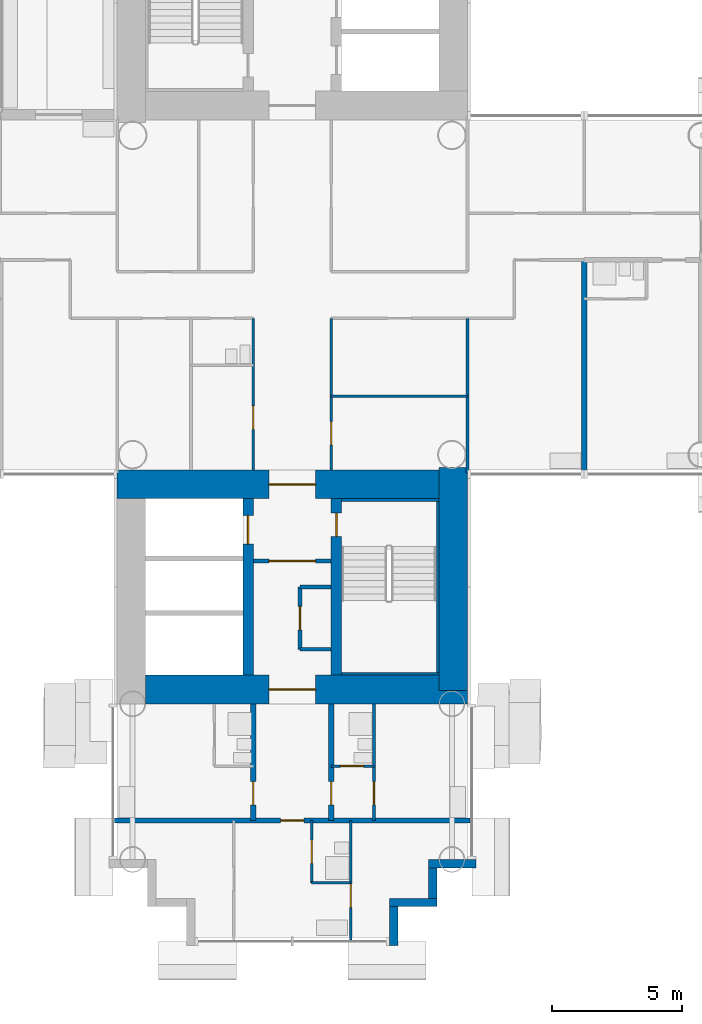
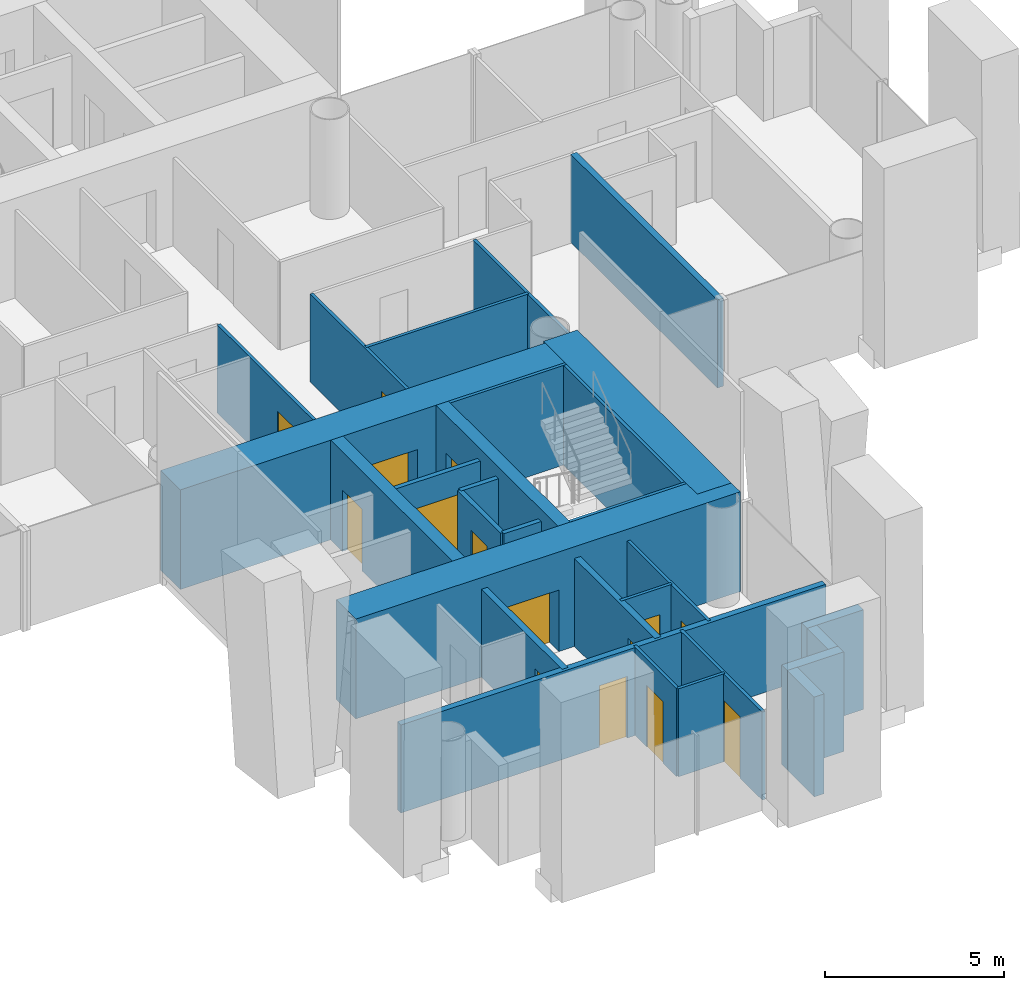
# One storey, part 14 of 23: 29 walls, 15 doors, 15 openings.
"""IFC4 building model written with IfcOpenShell, lengths in metres."""

import ifcopenshell
import ifcopenshell.guid

model = None  # the IFC model being written
_history = None  # IfcOwnerHistory: only IFC2X3 demands one
_inside = {}  # id of a spatial element -> (the spatial element, [elements in it])
_under = {}  # id of a project, library or spatial element -> (it, [spatial elements below it])
_declared = {}  # id of a project -> (the project, [libraries it declares])
_typed = {}  # id of a type object -> (the type object, [elements of that type])
_made_of = {}  # id of a material, layer set ... -> (it, [elements and type objects made of it])


def new_model(schema):
    """Start an empty IFC model of exactly this schema.

    Asked for "IFC4X3", IfcOpenShell would pick the latest addendum, in which some entities
    have other attributes; the version numbers below select the first issue.
    IFC2X3 requires an IfcOwnerHistory on every rooted entity: one is made here for all.
    """
    global model, _history
    if schema == "IFC4X3":
        model = ifcopenshell.file(schema_version=(4, 3, 0, 0))
    else:
        model = ifcopenshell.file(schema=schema)
    _inside.clear()
    _under.clear()
    _declared.clear()
    _typed.clear()
    _made_of.clear()
    _history = None
    if model.schema == "IFC2X3":
        org = make("IfcOrganization", Name="unknown")
        user = make(
            "IfcPersonAndOrganization",
            ThePerson=make("IfcPerson", FamilyName="unknown"),
            TheOrganization=org,
        )
        app = make(
            "IfcApplication",
            ApplicationDeveloper=org,
            Version="unknown",
            ApplicationFullName="unknown",
            ApplicationIdentifier="unknown",
        )
        _history = make(
            "IfcOwnerHistory",
            OwningUser=user,
            OwningApplication=app,
            ChangeAction="ADDED",
            CreationDate=0,
        )
    return model


def make(cls, **values):
    """One entity of the class cls with the attributes given. An attribute that is None is left unset."""
    return model.create_entity(
        cls, **{name: value for name, value in values.items() if value is not None}
    )


def rooted(cls, **values):
    """An entity with a GlobalId (a new one), such as an element, a storey or a relation."""
    return make(cls, GlobalId=ifcopenshell.guid.new(), OwnerHistory=_history, **values)


def si_unit(unit_type, name, prefix=None):
    """IfcSIUnit, for example si_unit("LENGTHUNIT", "METRE", prefix="MILLI")."""
    return make("IfcSIUnit", UnitType=unit_type, Prefix=prefix, Name=name)


def assignment(units):
    """IfcUnitAssignment: the units of a project."""
    return None if units is None else make("IfcUnitAssignment", Units=units)


def point(xyz):
    """IfcCartesianPoint."""
    return None if xyz is None else make("IfcCartesianPoint", Coordinates=xyz)


def direction(xyz):
    """IfcDirection."""
    return None if xyz is None else make("IfcDirection", DirectionRatios=xyz)


def frame(location, z_axis=None, x_axis=None):
    """IfcAxis2Placement3D, a coordinate frame: its origin and axes. An axis left out is left unset."""
    return make(
        "IfcAxis2Placement3D",
        Location=point(location),
        Axis=direction(z_axis),
        RefDirection=direction(x_axis),
    )


def frame_2d(location, x_axis=None):
    """IfcAxis2Placement2D, a coordinate frame in the plane: its origin and x axis."""
    return make(
        "IfcAxis2Placement2D", Location=point(location), RefDirection=direction(x_axis)
    )


def origin():
    """The frame at (0, 0, 0) with its axes left unset."""
    return frame((0.0, 0.0, 0.0))


def place(relative_to, where):
    """IfcLocalPlacement: puts the frame where relative to a parent placement (None: the world)."""
    return make(
        "IfcLocalPlacement", PlacementRelTo=relative_to, RelativePlacement=where
    )


def context(
    kind, dimensions, precision=None, world=None, true_north=None, identifier=None
):
    """IfcGeometricRepresentationContext, for example the 3D "Model" context."""
    return make(
        "IfcGeometricRepresentationContext",
        ContextIdentifier=identifier,
        ContextType=kind,
        CoordinateSpaceDimension=dimensions,
        Precision=precision,
        WorldCoordinateSystem=world,
        TrueNorth=true_north,
    )


def subcontext(parent, identifier, kind, view, scale=None):
    """IfcGeometricRepresentationSubContext, for example "Body" below "Model"."""
    return make(
        "IfcGeometricRepresentationSubContext",
        ContextIdentifier=identifier,
        ContextType=kind,
        ParentContext=parent,
        TargetScale=scale,
        TargetView=view,
    )


def project(units=None, contexts=None):
    """IfcProject with its units and contexts."""
    return rooted(
        "IfcProject",
        Name="project",
        RepresentationContexts=contexts,
        UnitsInContext=assignment(units),
    )


def spatial(cls, under=None, at=None, **own):
    """A site, building, storey or space (cls), placed at a placement, below another one or the project."""
    s = rooted(cls, ObjectPlacement=at, **own)
    if under is not None:
        _under.setdefault(under.id(), (under, []))[1].append(s)
    return s


def profile(cls, at=None, kind="AREA", **sizes):
    """A parametric profile (cls). Its sizes go by their IFC names, for example OverallWidth=200.0."""
    return make(cls, ProfileType=kind, Position=at, **sizes)


def rectangle(**sizes):
    """IfcRectangleProfileDef."""
    return profile("IfcRectangleProfileDef", **sizes)


def extrude(swept, where, along, depth):
    """IfcExtrudedAreaSolid: the profile swept, set in the frame where, extruded along a direction by depth."""
    return make(
        "IfcExtrudedAreaSolid",
        SweptArea=swept,
        Position=where,
        ExtrudedDirection=direction(along),
        Depth=depth,
    )


def shape(context_of_items, identifier, shape_type, items):
    """IfcShapeRepresentation: the items that make up one representation, for example the "Body"."""
    return make(
        "IfcShapeRepresentation",
        ContextOfItems=context_of_items,
        RepresentationIdentifier=identifier,
        RepresentationType=shape_type,
        Items=items,
    )


def material(Name=None, Category=None):
    """IfcMaterial."""
    return make("IfcMaterial", Name=Name, Category=Category)


def layer(
    of_material, thickness, ventilated=None, Name=None, Category=None, Priority=None
):
    """IfcMaterialLayer: one layer of a wall or slab, of a material (None: an air gap)."""
    return make(
        "IfcMaterialLayer",
        Material=of_material,
        LayerThickness=thickness,
        IsVentilated=ventilated,
        Name=Name,
        Category=Category,
        Priority=Priority,
    )


def layer_set(layers, Name=None):
    """IfcMaterialLayerSet."""
    return make("IfcMaterialLayerSet", MaterialLayers=layers, LayerSetName=Name)


def made_of(thing, what):
    """Note that an element or type object is made of a material, layer set ...; save() writes the relation."""
    if what is not None:
        _made_of.setdefault(what.id(), (what, []))[1].append(thing)
    return thing


def type_object(cls, material=None, **own):
    """A type object (cls), such as IfcWallType, which elements share."""
    return made_of(rooted(cls, **own), material)


def element(
    cls,
    number,
    at=None,
    inside=None,
    cuts=None,
    type_object=None,
    material=None,
    context=None,
    identifier="Body",
    shape_type=None,
    held_by="IfcProductDefinitionShape",
    body=None,
    shapes=None,
    **own,
):
    """One element of the class cls, such as IfcWall. Its Tag is "e" and its number.

    at: its placement. inside: the storey or other place that contains it. cuts: it is an
    opening in that element (IfcRelVoidsElement). A single representation is given by context,
    identifier, shape_type and body (its items); several are given by shapes. held_by: the class
    of the entity that holds the representations. save() writes the other relations.
    """
    e = rooted(cls, Tag="e%d" % number, ObjectPlacement=at, **own)
    if body is not None:
        shapes = [shape(context, identifier, shape_type, body)]
    if shapes is not None:
        e.Representation = make(held_by, Representations=shapes)
    if inside is not None:
        _inside.setdefault(inside.id(), (inside, []))[1].append(e)
    if cuts is not None:
        rooted(
            "IfcRelVoidsElement", RelatingBuildingElement=cuts, RelatedOpeningElement=e
        )
    if type_object is not None:
        _typed.setdefault(type_object.id(), (type_object, []))[1].append(e)
    return made_of(e, material)


def fill(opening, filler):
    """IfcRelFillsElement: the door or window that sits in an opening."""
    return rooted(
        "IfcRelFillsElement",
        RelatingOpeningElement=opening,
        RelatedBuildingElement=filler,
    )


def aggregate(whole, parts):
    """IfcRelAggregates: a whole, such as a stair, and the parts it consists of."""
    return rooted("IfcRelAggregates", RelatingObject=whole, RelatedObjects=parts)


def save(model, path):
    """Write the relations noted so far, then the file.

    IfcRelAggregates (storeys below a building ...), IfcRelContainedInSpatialStructure (elements
    in a storey), IfcRelDefinesByType, IfcRelAssociatesMaterial and IfcRelDeclares: one each for
    every whole, place, type object, material and project.
    """
    for whole, parts in _under.values():
        aggregate(whole, parts)
    for where, things in _inside.values():
        rooted(
            "IfcRelContainedInSpatialStructure",
            RelatedElements=things,
            RelatingStructure=where,
        )
    for kind, things in _typed.values():
        rooted("IfcRelDefinesByType", RelatedObjects=things, RelatingType=kind)
    for what, things in _made_of.values():
        rooted("IfcRelAssociatesMaterial", RelatedObjects=things, RelatingMaterial=what)
    for by, libraries in _declared.values():
        rooted("IfcRelDeclares", RelatingContext=by, RelatedDefinitions=libraries)
    model.write(path)


model = new_model("IFC4")

# Units and contexts
model_context = context("Model", 3, precision=1e-05, world=origin(), true_north=direction((0.0, 1.0)))
body_context = subcontext(model_context, "Body", "Model", "MODEL_VIEW")
ifc_project = project(units=[si_unit("LENGTHUNIT", "METRE"), si_unit("AREAUNIT", "SQUARE_METRE"), si_unit("VOLUMEUNIT", "CUBIC_METRE"), si_unit("PLANEANGLEUNIT", "RADIAN"), si_unit("MASSUNIT", "GRAM", prefix="KILO")], contexts=[model_context])

# Site, building, storey
site_placement = place(None, origin())
site = spatial("IfcSite", under=ifc_project, at=site_placement, CompositionType="ELEMENT")
building_placement = place(site_placement, origin())
building = spatial("IfcBuilding", under=site, at=building_placement, Name="Ipe Terrace Towers", CompositionType="ELEMENT")
storey_placement = place(building_placement, frame((0.0, 0.0, 44.89990234375)))
storey = spatial("IfcBuildingStorey", under=building, at=storey_placement, Name="L11", CompositionType="ELEMENT", Elevation=44.89990234375)

# Walls
ifc_material_1 = material(Name="Concrete C40/50 with buff precast cladding", Category="concrete")
ifc_layer_1 = layer(ifc_material_1, 0.320068359375)
ifc_layer_set_1 = layer_set([ifc_layer_1], Name="BUFF CLADDING WALL 320")
wall_type_1 = type_object("IfcWallType", Name="BUFF CLADDING WALL 320", PredefinedType="STANDARD", material=ifc_layer_set_1)
wall_1_placement = place(storey_placement, frame((39.909912109375, -25.070068359375, -0.2998046875), z_axis=(0.0, 0.0, 1.0), x_axis=(0.0, 1.0, 0.0)))
element("IfcWall", 1, at=wall_1_placement, inside=storey, type_object=wall_type_1, Name="T2-W-L11-00a wall", PredefinedType="STANDARD", context=body_context, shape_type="SweptSolid", body=[
    extrude(rectangle(XDim=1.5, YDim=0.320068359375, at=frame_2d((0.75, 0.0))), origin(), (0.0, 0.0, 1.0), 3.39990234375),
])
wall_2_placement = place(storey_placement, frame((39.75, -23.409912109375, -0.2998046875), z_axis=(0.0, 0.0, 1.0), x_axis=(1.0, 0.0, 0.0)))
element("IfcWall", 2, at=wall_2_placement, inside=storey, type_object=wall_type_1, Name="T2-W-L11-01a wall", PredefinedType="STANDARD", context=body_context, shape_type="SweptSolid", body=[
    extrude(rectangle(XDim=1.820068359375, YDim=0.320068359375, at=frame_2d((0.91015625, 0.0))), origin(), (0.0, 0.0, 1.0), 3.39990234375),
])
wall_3_placement = place(storey_placement, frame((41.409912109375, -23.25, -0.2998046875), z_axis=(0.0, 0.0, 1.0), x_axis=(0.0, 1.0, 0.0)))
element("IfcWall", 3, at=wall_3_placement, inside=storey, type_object=wall_type_1, Name="T2-W-L11-02a wall", PredefinedType="STANDARD", context=body_context, shape_type="SweptSolid", body=[
    extrude(rectangle(XDim=1.179931640625, YDim=0.320068359375, at=frame_2d((0.58984375, 0.0))), origin(), (0.0, 0.0, 1.0), 3.39990234375),
])
wall_4_placement = place(storey_placement, frame((41.25, -21.909912109375, -0.2998046875), z_axis=(0.0, 0.0, 1.0), x_axis=(1.0, 0.0, 0.0)))
element("IfcWall", 4, at=wall_4_placement, inside=storey, type_object=wall_type_1, Name="T2-W-L11-03a wall", PredefinedType="STANDARD", context=body_context, shape_type="SweptSolid", body=[
    extrude(rectangle(XDim=1.820068359375, YDim=0.320068359375, at=frame_2d((0.91015625, 0.0))), origin(), (0.0, 0.0, 1.0), 3.39990234375),
])
ifc_material_2 = material(Name="Gypsum board partition", Category="plasterboard")
ifc_layer_2 = layer(ifc_material_2, 0.10009765625)
ifc_layer_set_2 = layer_set([ifc_layer_2], Name="Gypsum board partition 100 mm")
wall_type_2 = type_object("IfcWallType", Name="Gypsum board partition 100 mm", PredefinedType="PARTITIONING", material=ifc_layer_set_2)
wall_5_placement = place(storey_placement, frame((38.25, -22.64990234375, 0.0), z_axis=(0.0, 0.0, 1.0), x_axis=(-1.0, 0.0, 0.0)))
element("IfcWall", 5, at=wall_5_placement, inside=storey, type_object=wall_type_2, Name="Gypsum board partition T2 L11 W01", PredefinedType="PARTITIONING", context=body_context, shape_type="SweptSolid", body=[
    extrude(rectangle(XDim=1.5, YDim=0.10009765625, at=frame_2d((0.75, 0.0))), origin(), (0.0, 0.0, 1.0), 3.0),
])

# Wall, opening, door
wall_6_placement = place(storey_placement, frame((39.14990234375, -18.14990234375, 0.0), z_axis=(0.0, 0.0, 1.0), x_axis=(-1.0, 0.0, 0.0)))
wall_6 = element("IfcWall", 6, at=wall_6_placement, inside=storey, type_object=wall_type_2, Name="Gypsum board partition T2 L11 W03", PredefinedType="PARTITIONING", context=body_context, shape_type="SweptSolid", body=[
    extrude(rectangle(XDim=1.64990234375, YDim=0.10009765625, at=frame_2d((0.824951171875, 0.0))), origin(), (0.0, 0.0, 1.0), 3.0),
])
opening_1_placement = place(wall_6_placement, frame((0.39990234375, 0.0, 0.0)))
opening_1 = element("IfcOpeningElement", 7, at=opening_1_placement, cuts=wall_6, Name="Opening T2-Z1C-29", PredefinedType="OPENING", context=body_context, shape_type="SweptSolid", body=[
    extrude(rectangle(XDim=0.89990234375, YDim=2.10009765625, at=frame_2d((0.449951171875, 1.050048828125))), frame((0.0, 0.06005859375, 0.0), z_axis=(0.0, -1.0, 0.0), x_axis=(1.0, 0.0, 0.0)), (0.0, 0.0, 1.0), 0.1201171875),
])
ifc_material_3 = material(Name="Timber door leaf", Category="wood")
door_type_1 = type_object("IfcDoorType", Name="Bathroom door 900 x 2100", OperationType="NOTDEFINED", PredefinedType="DOOR", material=ifc_material_3)
door_1_placement = place(opening_1_placement, origin())
door_1 = element("IfcDoor", 8, at=door_1_placement, inside=storey, type_object=door_type_1, Name="Bathroom door T2-Z1C-29", OperationType="SINGLE_SWING_RIGHT", OverallHeight=2.10009765625, OverallWidth=0.89990234375, PredefinedType="DOOR", context=body_context, shape_type="SweptSolid", body=[
    extrude(rectangle(XDim=0.89990234375, YDim=2.10009765625, at=frame_2d((0.449951171875, 1.050048828125))), frame((0.0, 0.02490234375, 0.0), z_axis=(0.0, -1.0, 0.0), x_axis=(1.0, 0.0, 0.0)), (0.0, 0.0, 1.0), 0.050048828125),
])
fill(opening_1, door_1)

# Walls
wall_7_placement = place(storey_placement, frame((42.75, -3.89990234375, 0.0), z_axis=(0.0, 0.0, 1.0), x_axis=(-1.0, 0.0, 0.0)))
element("IfcWall", 9, at=wall_7_placement, inside=storey, type_object=wall_type_2, Name="Gypsum board partition T2 L11 W05", PredefinedType="PARTITIONING", context=body_context, shape_type="SweptSolid", body=[
    extrude(rectangle(XDim=5.25, YDim=0.10009765625, at=frame_2d((2.625, 0.0))), origin(), (0.0, 0.0, 1.0), 3.0),
])
wall_8_placement = place(storey_placement, frame((42.75, -6.85009765625, 0.0), z_axis=(0.0, 0.0, 1.0), x_axis=(0.0, 1.0, 0.0)))
element("IfcWall", 10, at=wall_8_placement, inside=storey, type_object=wall_type_2, Name="Gypsum board partition T2 L11 W30", PredefinedType="PARTITIONING", context=body_context, shape_type="SweptSolid", body=[
    extrude(rectangle(XDim=5.9501953125, YDim=0.10009765625, at=frame_2d((2.97509765625, 0.0))), origin(), (0.0, 0.0, 1.0), 3.0),
])

# Wall, opening, door
wall_9_placement = place(storey_placement, frame((39.14990234375, -20.25, 0.0), z_axis=(0.0, 0.0, 1.0), x_axis=(0.0, 1.0, 0.0)))
wall_9 = element("IfcWall", 11, at=wall_9_placement, inside=storey, type_object=wall_type_2, Name="Gypsum board partition T2 L11 W32", PredefinedType="PARTITIONING", context=body_context, shape_type="SweptSolid", body=[
    extrude(rectangle(XDim=4.5, YDim=0.10009765625, at=frame_2d((2.25, 0.0))), origin(), (0.0, 0.0, 1.0), 3.0),
])
opening_2_placement = place(wall_9_placement, frame((0.60009765625, 0.0, 0.0)))
opening_2 = element("IfcOpeningElement", 12, at=opening_2_placement, cuts=wall_9, Name="Opening T2-Z1C-28", PredefinedType="OPENING", context=body_context, shape_type="SweptSolid", body=[
    extrude(rectangle(XDim=0.89990234375, YDim=2.10009765625, at=frame_2d((0.449951171875, 1.050048828125))), frame((0.0, 0.06005859375, 0.0), z_axis=(0.0, -1.0, 0.0), x_axis=(1.0, 0.0, 0.0)), (0.0, 0.0, 1.0), 0.1201171875),
])
ifc_material_4 = material(Name="Timber door leaf", Category="wood")
door_type_2 = type_object("IfcDoorType", Name="Bedroom door 900 x 2100", OperationType="NOTDEFINED", PredefinedType="DOOR", material=ifc_material_4)
door_2_placement = place(opening_2_placement, origin())
door_2 = element("IfcDoor", 13, at=door_2_placement, inside=storey, type_object=door_type_2, Name="Bedroom door T2-Z1C-28", OperationType="SINGLE_SWING_LEFT", OverallHeight=2.10009765625, OverallWidth=0.89990234375, PredefinedType="DOOR", context=body_context, shape_type="SweptSolid", body=[
    extrude(rectangle(XDim=0.89990234375, YDim=2.10009765625, at=frame_2d((0.449951171875, 1.050048828125))), frame((0.0, 0.02490234375, 0.0), z_axis=(0.0, -1.0, 0.0), x_axis=(1.0, 0.0, 0.0)), (0.0, 0.0, 1.0), 0.050048828125),
])
fill(opening_2, door_2)

wall_10_placement = place(storey_placement, frame((38.25, -24.85009765625, 0.0), z_axis=(0.0, 0.0, 1.0), x_axis=(0.0, 1.0, 0.0)))
wall_10 = element("IfcWall", 14, at=wall_10_placement, inside=storey, type_object=wall_type_2, Name="Gypsum board partition T2 L11 W34", PredefinedType="PARTITIONING", context=body_context, shape_type="SweptSolid", body=[
    extrude(rectangle(XDim=4.60009765625, YDim=0.10009765625, at=frame_2d((2.300048828125, 0.0))), origin(), (0.0, 0.0, 1.0), 3.0),
])
opening_3_placement = place(wall_10_placement, frame((1.25, 0.0, 0.0)))
opening_3 = element("IfcOpeningElement", 15, at=opening_3_placement, cuts=wall_10, Name="Opening T2-Z1C-34", PredefinedType="OPENING", context=body_context, shape_type="SweptSolid", body=[
    extrude(rectangle(XDim=0.89990234375, YDim=2.10009765625, at=frame_2d((0.449951171875, 1.050048828125))), frame((0.0, 0.06005859375, 0.0), z_axis=(0.0, -1.0, 0.0), x_axis=(1.0, 0.0, 0.0)), (0.0, 0.0, 1.0), 0.1201171875),
])
ifc_material_5 = material(Name="Timber door leaf", Category="wood")
door_type_3 = type_object("IfcDoorType", Name="Lounge door 900 x 2100", OperationType="NOTDEFINED", PredefinedType="DOOR", material=ifc_material_5)
door_3_placement = place(opening_3_placement, origin())
door_3 = element("IfcDoor", 16, at=door_3_placement, inside=storey, type_object=door_type_3, Name="Lounge door T2-Z1C-34", OperationType="SINGLE_SWING_LEFT", OverallHeight=2.10009765625, OverallWidth=0.89990234375, PredefinedType="DOOR", context=body_context, shape_type="SweptSolid", body=[
    extrude(rectangle(XDim=0.89990234375, YDim=2.10009765625, at=frame_2d((0.449951171875, 1.050048828125))), frame((0.0, 0.02490234375, 0.0), z_axis=(0.0, -1.0, 0.0), x_axis=(1.0, 0.0, 0.0)), (0.0, 0.0, 1.0), 0.050048828125),
])
fill(opening_3, door_3)

wall_11_placement = place(storey_placement, frame((37.5, -6.75, 0.0), z_axis=(0.0, 0.0, 1.0), x_axis=(0.0, 1.0, 0.0)))
wall_11 = element("IfcWall", 17, at=wall_11_placement, inside=storey, type_object=wall_type_2, Name="Gypsum board partition T2 L11 W35", PredefinedType="PARTITIONING", context=body_context, shape_type="SweptSolid", body=[
    extrude(rectangle(XDim=5.85009765625, YDim=0.10009765625, at=frame_2d((2.925048828125, 0.0))), origin(), (0.0, 0.0, 1.0), 3.0),
])
opening_4_placement = place(wall_11_placement, frame((0.97509765625, 0.0, 0.0)))
opening_4 = element("IfcOpeningElement", 18, at=opening_4_placement, cuts=wall_11, Name="Opening T2-Z1C-07", PredefinedType="OPENING", context=body_context, shape_type="SweptSolid", body=[
    extrude(rectangle(XDim=0.89990234375, YDim=2.10009765625, at=frame_2d((0.449951171875, 1.050048828125))), frame((0.0, 0.06005859375, 0.0), z_axis=(0.0, -1.0, 0.0), x_axis=(1.0, 0.0, 0.0)), (0.0, 0.0, 1.0), 0.1201171875),
])
door_4_placement = place(opening_4_placement, origin())
door_4 = element("IfcDoor", 19, at=door_4_placement, inside=storey, type_object=door_type_3, Name="Lounge door T2-Z1C-07", OperationType="SINGLE_SWING_LEFT", OverallHeight=2.10009765625, OverallWidth=0.89990234375, PredefinedType="DOOR", context=body_context, shape_type="SweptSolid", body=[
    extrude(rectangle(XDim=0.89990234375, YDim=2.10009765625, at=frame_2d((0.449951171875, 1.050048828125))), frame((0.0, 0.02490234375, 0.0), z_axis=(0.0, -1.0, 0.0), x_axis=(1.0, 0.0, 0.0)), (0.0, 0.0, 1.0), 0.050048828125),
])
fill(opening_4, door_4)

wall_12_placement = place(storey_placement, frame((36.75, -22.64990234375, 0.0), z_axis=(0.0, 0.0, 1.0), x_axis=(0.0, 1.0, 0.0)))
wall_12 = element("IfcWall", 20, at=wall_12_placement, inside=storey, type_object=wall_type_2, Name="Gypsum board partition T2 L11 W39", PredefinedType="PARTITIONING", context=body_context, shape_type="SweptSolid", body=[
    extrude(rectangle(XDim=2.39990234375, YDim=0.10009765625, at=frame_2d((1.199951171875, 0.0))), origin(), (0.0, 0.0, 1.0), 3.0),
])
opening_5_placement = place(wall_12_placement, frame((0.75, 0.0, 0.0)))
opening_5 = element("IfcOpeningElement", 21, at=opening_5_placement, cuts=wall_12, Name="Opening T2-Z1C-32", PredefinedType="OPENING", context=body_context, shape_type="SweptSolid", body=[
    extrude(rectangle(XDim=0.89990234375, YDim=2.10009765625, at=frame_2d((0.449951171875, 1.050048828125))), frame((0.0, 0.06005859375, 0.0), z_axis=(0.0, -1.0, 0.0), x_axis=(1.0, 0.0, 0.0)), (0.0, 0.0, 1.0), 0.1201171875),
])
door_5_placement = place(opening_5_placement, origin())
door_5 = element("IfcDoor", 22, at=door_5_placement, inside=storey, type_object=door_type_1, Name="Bathroom door T2-Z1C-32", OperationType="SINGLE_SWING_RIGHT", OverallHeight=2.10009765625, OverallWidth=0.89990234375, PredefinedType="DOOR", context=body_context, shape_type="SweptSolid", body=[
    extrude(rectangle(XDim=0.89990234375, YDim=2.10009765625, at=frame_2d((0.449951171875, 1.050048828125))), frame((0.0, 0.02490234375, 0.0), z_axis=(0.0, -1.0, 0.0), x_axis=(1.0, 0.0, 0.0)), (0.0, 0.0, 1.0), 0.050048828125),
])
fill(opening_5, door_5)

wall_13_placement = place(storey_placement, frame((34.5, -6.75, 0.0), z_axis=(0.0, 0.0, 1.0), x_axis=(0.0, 1.0, 0.0)))
wall_13 = element("IfcWall", 23, at=wall_13_placement, inside=storey, type_object=wall_type_2, Name="Gypsum board partition T2 L11 W40", PredefinedType="PARTITIONING", context=body_context, shape_type="SweptSolid", body=[
    extrude(rectangle(XDim=5.85009765625, YDim=0.10009765625, at=frame_2d((2.925048828125, 0.0))), origin(), (0.0, 0.0, 1.0), 3.0),
])
opening_6_placement = place(wall_13_placement, frame((1.574951171875, 0.0, 0.0)))
opening_6 = element("IfcOpeningElement", 24, at=opening_6_placement, cuts=wall_13, Name="Opening T2-Z1C-04", PredefinedType="OPENING", context=body_context, shape_type="SweptSolid", body=[
    extrude(rectangle(XDim=0.89990234375, YDim=2.10009765625, at=frame_2d((0.449951171875, 1.050048828125))), frame((0.0, 0.06005859375, 0.0), z_axis=(0.0, -1.0, 0.0), x_axis=(1.0, 0.0, 0.0)), (0.0, 0.0, 1.0), 0.1201171875),
])
door_6_placement = place(opening_6_placement, origin())
door_6 = element("IfcDoor", 25, at=door_6_placement, inside=storey, type_object=door_type_3, Name="Lounge door T2-Z1C-04", OperationType="SINGLE_SWING_RIGHT", OverallHeight=2.10009765625, OverallWidth=0.89990234375, PredefinedType="DOOR", context=body_context, shape_type="SweptSolid", body=[
    extrude(rectangle(XDim=0.89990234375, YDim=2.10009765625, at=frame_2d((0.449951171875, 1.050048828125))), frame((0.0, 0.02490234375, 0.0), z_axis=(0.0, -1.0, 0.0), x_axis=(1.0, 0.0, 0.0)), (0.0, 0.0, 1.0), 0.050048828125),
])
fill(opening_6, door_6)

ifc_material_6 = material(Name="Gypsum board partition", Category="plasterboard")
ifc_layer_3 = layer(ifc_material_6, 0.14990234375)
ifc_layer_set_3 = layer_set([ifc_layer_3], Name="Gypsum board partition 150 mm")
wall_type_3 = type_object("IfcWallType", Name="Gypsum board partition 150 mm", PredefinedType="PARTITIONING", material=ifc_layer_set_3)
wall_14_placement = place(storey_placement, frame((34.5, -10.25, 0.0), z_axis=(0.0, 0.0, 1.0), x_axis=(1.0, 0.0, 0.0)))
wall_14 = element("IfcWall", 26, at=wall_14_placement, inside=storey, type_object=wall_type_3, Name="Gypsum board partition T2 L11 t2c2-lobby-wall", PredefinedType="PARTITIONING", context=body_context, shape_type="SweptSolid", body=[
    extrude(rectangle(XDim=3.0, YDim=0.14990234375, at=frame_2d((1.5, 0.0))), origin(), (0.0, 0.0, 1.0), 3.0),
])
opening_7_placement = place(wall_14_placement, frame((0.60009765625, 0.0, 0.0)))
opening_7 = element("IfcOpeningElement", 27, at=opening_7_placement, cuts=wall_14, Name="Opening T2C2-VD", PredefinedType="OPENING", context=body_context, shape_type="SweptSolid", body=[
    extrude(rectangle(XDim=1.800048828125, YDim=2.10009765625, at=frame_2d((0.89990234375, 1.050048828125))), frame((0.0, 0.0849609375, 0.0), z_axis=(0.0, -1.0, 0.0), x_axis=(1.0, 0.0, 0.0)), (0.0, 0.0, 1.0), 0.169921875),
])
ifc_material_7 = material(Name="Fire-rated timber door leaf", Category="wood")
door_type_4 = type_object("IfcDoorType", Name="Lobby door 1800 x 2100 FD60", OperationType="NOTDEFINED", PredefinedType="DOOR", material=ifc_material_7)
door_7_placement = place(opening_7_placement, origin())
door_7 = element("IfcDoor", 28, at=door_7_placement, inside=storey, type_object=door_type_4, Name="Lobby door T2C2-VD", OperationType="SINGLE_SWING_LEFT", OverallHeight=2.10009765625, OverallWidth=1.800048828125, PredefinedType="DOOR", context=body_context, shape_type="SweptSolid", body=[
    extrude(rectangle(XDim=1.800048828125, YDim=2.10009765625, at=frame_2d((0.89990234375, 1.050048828125))), frame((0.0, 0.02490234375, 0.0), z_axis=(0.0, -1.0, 0.0), x_axis=(1.0, 0.0, 0.0)), (0.0, 0.0, 1.0), 0.050048828125),
])
fill(opening_7, door_7)

wall_15_placement = place(storey_placement, frame((36.300048828125, -11.25, 0.0), z_axis=(0.0, 0.0, 1.0), x_axis=(0.0, -1.0, 0.0)))
wall_15 = element("IfcWall", 29, at=wall_15_placement, inside=storey, type_object=wall_type_3, Name="Gypsum board partition T2 L11 t2c2-cup-n-f", PredefinedType="PARTITIONING", context=body_context, shape_type="SweptSolid", body=[
    extrude(rectangle(XDim=2.39990234375, YDim=0.14990234375, at=frame_2d((1.199951171875, 0.0))), origin(), (0.0, 0.0, 1.0), 3.0),
])
opening_8_placement = place(wall_15_placement, frame((0.75, 0.0, 0.0)))
opening_8 = element("IfcOpeningElement", 30, at=opening_8_placement, cuts=wall_15, Name="Opening T2C2-SR", PredefinedType="OPENING", context=body_context, shape_type="SweptSolid", body=[
    extrude(rectangle(XDim=0.89990234375, YDim=2.10009765625, at=frame_2d((0.449951171875, 1.050048828125))), frame((0.0, 0.0849609375, 0.0), z_axis=(0.0, -1.0, 0.0), x_axis=(1.0, 0.0, 0.0)), (0.0, 0.0, 1.0), 0.169921875),
])
ifc_material_8 = material(Name="Fire-rated timber door leaf", Category="wood")
door_type_5 = type_object("IfcDoorType", Name="Service door 900 x 2100 FD60", OperationType="NOTDEFINED", PredefinedType="DOOR", material=ifc_material_8)
door_8_placement = place(opening_8_placement, origin())
door_8 = element("IfcDoor", 31, at=door_8_placement, inside=storey, type_object=door_type_5, Name="Service door T2C2-SR", OperationType="SINGLE_SWING_LEFT", OverallHeight=2.10009765625, OverallWidth=0.89990234375, PredefinedType="DOOR", context=body_context, shape_type="SweptSolid", body=[
    extrude(rectangle(XDim=0.89990234375, YDim=2.10009765625, at=frame_2d((0.449951171875, 1.050048828125))), frame((0.0, 0.02490234375, 0.0), z_axis=(0.0, -1.0, 0.0), x_axis=(1.0, 0.0, 0.0)), (0.0, 0.0, 1.0), 0.050048828125),
])
fill(opening_8, door_8)

# Walls
for number, where, z_axis, x_axis, name in (
    (32, (36.300048828125, -11.25, 0.0), (0.0, 0.0, 1.0), (1.0, 0.0, 0.0), "Gypsum board partition T2 L11 t2c2-cup-n-a"),
    (33, (36.300048828125, -13.64990234375, 0.0), (0.0, 0.0, 1.0), (1.0, 0.0, 0.0), "Gypsum board partition T2 L11 t2c2-cup-n-b"),
):
    element("IfcWall", number, at=place(storey_placement, frame(where, z_axis=z_axis, x_axis=x_axis)), inside=storey, type_object=wall_type_3, Name=name, PredefinedType="PARTITIONING", context=body_context, shape_type="SweptSolid", body=[
        extrude(rectangle(XDim=1.199951171875, YDim=0.14990234375, at=frame_2d((0.60009765625, 0.0))), origin(), (0.0, 0.0, 1.0), 3.0),
    ])

# Wall, opening, door
ifc_material_9 = material(Name="Gypsum board party wall", Category="plasterboard")
ifc_layer_4 = layer(ifc_material_9, 0.199951171875)
ifc_layer_set_4 = layer_set([ifc_layer_4], Name="Gypsum board party wall 200 mm")
wall_type_4 = type_object("IfcWallType", Name="Gypsum board party wall 200 mm", PredefinedType="SOLIDWALL", material=ifc_layer_set_4)
wall_16_placement = place(storey_placement, frame((42.85009765625, -20.25, 0.0), z_axis=(0.0, 0.0, 1.0), x_axis=(-1.0, 0.0, 0.0)))
wall_16 = element("IfcWall", 34, at=wall_16_placement, inside=storey, type_object=wall_type_4, Name="Gypsum board party wall T2 L11 W02", PredefinedType="SOLIDWALL", context=body_context, shape_type="SweptSolid", body=[
    extrude(rectangle(XDim=13.7001953125, YDim=0.199951171875, at=frame_2d((6.85009765625, 0.0))), origin(), (0.0, 0.0, 1.0), 3.0),
])
opening_9_placement = place(wall_16_placement, frame((6.39990234375, 0.0, 0.0)))
opening_9 = element("IfcOpeningElement", 35, at=opening_9_placement, cuts=wall_16, Name="Opening T2-Z1C-33", PredefinedType="OPENING", context=body_context, shape_type="SweptSolid", body=[
    extrude(rectangle(XDim=0.89990234375, YDim=2.10009765625, at=frame_2d((0.449951171875, 1.050048828125))), frame((0.0, 0.10986328125, 0.0), z_axis=(0.0, -1.0, 0.0), x_axis=(1.0, 0.0, 0.0)), (0.0, 0.0, 1.0), 0.219970703125),
])
ifc_material_10 = material(Name="Fire-rated timber door leaf", Category="wood")
door_type_6 = type_object("IfcDoorType", Name="Flat entrance door 900 x 2100 FD30S", OperationType="NOTDEFINED", PredefinedType="DOOR", material=ifc_material_10)
door_9_placement = place(opening_9_placement, origin())
door_9 = element("IfcDoor", 36, at=door_9_placement, inside=storey, type_object=door_type_6, Name="Flat entrance door T2-Z1C-33", OperationType="SINGLE_SWING_LEFT", OverallHeight=2.10009765625, OverallWidth=0.89990234375, PredefinedType="DOOR", context=body_context, shape_type="SweptSolid", body=[
    extrude(rectangle(XDim=0.89990234375, YDim=2.10009765625, at=frame_2d((0.449951171875, 1.050048828125))), frame((0.0, 0.02490234375, 0.0), z_axis=(0.0, -1.0, 0.0), x_axis=(1.0, 0.0, 0.0)), (0.0, 0.0, 1.0), 0.050048828125),
])
fill(opening_9, door_9)

# Wall
wall_17_placement = place(storey_placement, frame((47.25, -6.85009765625, 0.0), z_axis=(0.0, 0.0, 1.0), x_axis=(0.0, 1.0, 0.0)))
element("IfcWall", 37, at=wall_17_placement, inside=storey, type_object=wall_type_4, Name="Gypsum board party wall T2 L11 W28", PredefinedType="SOLIDWALL", context=body_context, shape_type="SweptSolid", body=[
    extrude(rectangle(XDim=8.2001953125, YDim=0.199951171875, at=frame_2d((4.10009765625, 0.0))), origin(), (0.0, 0.0, 1.0), 3.0),
])

# Wall, opening, door
wall_18_placement = place(storey_placement, frame((37.5, -20.25, 0.0), z_axis=(0.0, 0.0, 1.0), x_axis=(0.0, 1.0, 0.0)))
wall_18 = element("IfcWall", 38, at=wall_18_placement, inside=storey, type_object=wall_type_4, Name="Gypsum board party wall T2 L11 W37", PredefinedType="SOLIDWALL", context=body_context, shape_type="SweptSolid", body=[
    extrude(rectangle(XDim=4.5, YDim=0.199951171875, at=frame_2d((2.25, 0.0))), origin(), (0.0, 0.0, 1.0), 3.0),
])
opening_10_placement = place(wall_18_placement, frame((0.60009765625, 0.0, 0.0)))
opening_10 = element("IfcOpeningElement", 39, at=opening_10_placement, cuts=wall_18, Name="Opening T2-Z1C-27", PredefinedType="OPENING", context=body_context, shape_type="SweptSolid", body=[
    extrude(rectangle(XDim=0.89990234375, YDim=2.10009765625, at=frame_2d((0.449951171875, 1.050048828125))), frame((0.0, 0.10986328125, 0.0), z_axis=(0.0, -1.0, 0.0), x_axis=(1.0, 0.0, 0.0)), (0.0, 0.0, 1.0), 0.219970703125),
])
door_10_placement = place(opening_10_placement, origin())
door_10 = element("IfcDoor", 40, at=door_10_placement, inside=storey, type_object=door_type_6, Name="Flat entrance door T2-Z1C-27", OperationType="SINGLE_SWING_LEFT", OverallHeight=2.10009765625, OverallWidth=0.89990234375, PredefinedType="DOOR", context=body_context, shape_type="SweptSolid", body=[
    extrude(rectangle(XDim=0.89990234375, YDim=2.10009765625, at=frame_2d((0.449951171875, 1.050048828125))), frame((0.0, 0.02490234375, 0.0), z_axis=(0.0, -1.0, 0.0), x_axis=(1.0, 0.0, 0.0)), (0.0, 0.0, 1.0), 0.050048828125),
])
fill(opening_10, door_10)

wall_19_placement = place(storey_placement, frame((34.5, -20.25, 0.0), z_axis=(0.0, 0.0, 1.0), x_axis=(0.0, 1.0, 0.0)))
wall_19 = element("IfcWall", 41, at=wall_19_placement, inside=storey, type_object=wall_type_4, Name="Gypsum board party wall T2 L11 W42", PredefinedType="SOLIDWALL", context=body_context, shape_type="SweptSolid", body=[
    extrude(rectangle(XDim=4.5, YDim=0.199951171875, at=frame_2d((2.25, 0.0))), origin(), (0.0, 0.0, 1.0), 3.0),
])
opening_11_placement = place(wall_19_placement, frame((0.60009765625, 0.0, 0.0)))
opening_11 = element("IfcOpeningElement", 42, at=opening_11_placement, cuts=wall_19, Name="Opening T2-Z1C-30", PredefinedType="OPENING", context=body_context, shape_type="SweptSolid", body=[
    extrude(rectangle(XDim=0.89990234375, YDim=2.10009765625, at=frame_2d((0.449951171875, 1.050048828125))), frame((0.0, 0.10986328125, 0.0), z_axis=(0.0, -1.0, 0.0), x_axis=(1.0, 0.0, 0.0)), (0.0, 0.0, 1.0), 0.219970703125),
])
door_11_placement = place(opening_11_placement, origin())
door_11 = element("IfcDoor", 43, at=door_11_placement, inside=storey, type_object=door_type_6, Name="Flat entrance door T2-Z1C-30", OperationType="SINGLE_SWING_RIGHT", OverallHeight=2.10009765625, OverallWidth=0.89990234375, PredefinedType="DOOR", context=body_context, shape_type="SweptSolid", body=[
    extrude(rectangle(XDim=0.89990234375, YDim=2.10009765625, at=frame_2d((0.449951171875, 1.050048828125))), frame((0.0, 0.02490234375, 0.0), z_axis=(0.0, -1.0, 0.0), x_axis=(1.0, 0.0, 0.0)), (0.0, 0.0, 1.0), 0.050048828125),
])
fill(opening_11, door_11)

# Walls
ifc_material_11 = material(Name="Concrete C60/75", Category="concrete")
ifc_layer_5 = layer(ifc_material_11, 0.10009765625)
ifc_layer_set_5 = layer_set([ifc_layer_5], Name="RW100 CORE INFILL WALL 100 C60-75")
wall_type_5 = type_object("IfcWallType", Name="RW100 CORE INFILL WALL 100 C60-75", PredefinedType="SHEAR", material=ifc_layer_set_5)
wall_20_placement = place(storey_placement, frame((37.89990234375, -14.60009765625, 0.0), z_axis=(0.0, 0.0, 1.0), x_axis=(1.0, 0.0, 0.0)))
element("IfcWall", 44, at=wall_20_placement, inside=storey, type_object=wall_type_5, Name="Core infill wall T2-C2-far", PredefinedType="SHEAR", context=body_context, shape_type="SweptSolid", body=[
    extrude(rectangle(XDim=3.75, YDim=0.10009765625, at=frame_2d((1.875, 0.0))), origin(), (0.0, 0.0, 1.0), 3.400146484375),
])
wall_21_placement = place(storey_placement, frame((41.60009765625, -7.949951171875, 0.0), z_axis=(0.0, 0.0, 1.0), x_axis=(0.0, -1.0, 0.0)))
element("IfcWall", 45, at=wall_21_placement, inside=storey, type_object=wall_type_5, Name="Core infill wall T2-C2-back", PredefinedType="SHEAR", context=body_context, shape_type="SweptSolid", body=[
    extrude(rectangle(XDim=6.60009765625, YDim=0.10009765625, at=frame_2d((3.300048828125, 0.0))), origin(), (0.0, 0.0, 1.0), 3.400146484375),
])
wall_22_placement = place(storey_placement, frame((37.89990234375, -7.89990234375, 0.0), z_axis=(0.0, 0.0, 1.0), x_axis=(1.0, 0.0, 0.0)))
element("IfcWall", 46, at=wall_22_placement, inside=storey, type_object=wall_type_5, Name="Core infill wall T2-C2-near", PredefinedType="SHEAR", context=body_context, shape_type="SweptSolid", body=[
    extrude(rectangle(XDim=3.75, YDim=0.10009765625, at=frame_2d((1.875, 0.0))), origin(), (0.0, 0.0, 1.0), 3.400146484375),
])

# Wall, opening, door
ifc_material_12 = material(Name="Concrete C60/75", Category="concrete")
ifc_layer_6 = layer(ifc_material_12, 1.10009765625)
ifc_layer_set_6 = layer_set([ifc_layer_6], Name="RW1100 CORE WALL 1100 C60-75")
wall_type_6 = type_object("IfcWallType", Name="RW1100 CORE WALL 1100 C60-75", PredefinedType="SHEAR", material=ifc_layer_set_6)
wall_23_placement = place(storey_placement, frame((30.35009765625, -15.199951171875, 0.0), z_axis=(0.0, 0.0, 1.0), x_axis=(1.0, 0.0, 0.0)))
wall_23 = element("IfcWall", 47, at=wall_23_placement, inside=storey, type_object=wall_type_6, Name="Core wall T2-C2-Z1-W01", PredefinedType="SHEAR", context=body_context, shape_type="SweptSolid", body=[
    extrude(rectangle(XDim=12.39990234375, YDim=1.10009765625, at=frame_2d((6.199951171875, 0.0))), origin(), (0.0, 0.0, 1.0), 3.400146484375),
])
opening_12_placement = place(wall_23_placement, frame((4.75, 0.0, 0.0)))
opening_12 = element("IfcOpeningElement", 48, at=opening_12_placement, cuts=wall_23, Name="Opening T2C2-FD", PredefinedType="OPENING", context=body_context, shape_type="SweptSolid", body=[
    extrude(rectangle(XDim=1.800048828125, YDim=2.10009765625, at=frame_2d((0.89990234375, 1.050048828125))), frame((0.0, 0.56005859375, 0.0), z_axis=(0.0, -1.0, 0.0), x_axis=(1.0, 0.0, 0.0)), (0.0, 0.0, 1.0), 1.1201171875),
])
ifc_material_13 = material(Name="Fire-rated timber door leaf", Category="wood")
door_type_7 = type_object("IfcDoorType", Name="Fire door 1800 x 2100 FD30S", OperationType="NOTDEFINED", PredefinedType="DOOR", material=ifc_material_13)
door_12_placement = place(opening_12_placement, origin())
door_12 = element("IfcDoor", 49, at=door_12_placement, inside=storey, type_object=door_type_7, Name="Fire door T2C2-FD", OperationType="SINGLE_SWING_LEFT", OverallHeight=2.10009765625, OverallWidth=1.800048828125, PredefinedType="DOOR", context=body_context, shape_type="SweptSolid", body=[
    extrude(rectangle(XDim=1.800048828125, YDim=2.10009765625, at=frame_2d((0.89990234375, 1.050048828125))), frame((0.0, 0.02490234375, 0.0), z_axis=(0.0, -1.0, 0.0), x_axis=(1.0, 0.0, 0.0)), (0.0, 0.0, 1.0), 0.050048828125),
])
fill(opening_12, door_12)

# Wall
wall_24_placement = place(storey_placement, frame((42.199951171875, -15.248046875, 0.0), z_axis=(0.0, 0.0, 1.0), x_axis=(0.0, 1.0, 0.0)))
element("IfcWall", 50, at=wall_24_placement, inside=storey, type_object=wall_type_6, Name="Core wall T2-C2-Z1-W02", PredefinedType="SHEAR", context=body_context, shape_type="SweptSolid", body=[
    extrude(rectangle(XDim=8.595947265625, YDim=1.10009765625, at=frame_2d((4.2978515625, 0.0))), origin(), (0.0, 0.0, 1.0), 3.400146484375),
])

# Wall, opening, door
wall_25_placement = place(storey_placement, frame((41.64990234375, -7.300048828125, 0.0), z_axis=(0.0, 0.0, 1.0), x_axis=(-1.0, 0.0, 0.0)))
wall_25 = element("IfcWall", 51, at=wall_25_placement, inside=storey, type_object=wall_type_6, Name="Core wall T2-C2-Z1-W03", PredefinedType="SHEAR", context=body_context, shape_type="SweptSolid", body=[
    extrude(rectangle(XDim=12.39990234375, YDim=1.10009765625, at=frame_2d((6.199951171875, 0.0))), origin(), (0.0, 0.0, 1.0), 3.400146484375),
])
opening_13_placement = place(wall_25_placement, frame((4.75, 0.0, 0.0)))
opening_13 = element("IfcOpeningElement", 52, at=opening_13_placement, cuts=wall_25, Name="Opening T2C2-ND", PredefinedType="OPENING", context=body_context, shape_type="SweptSolid", body=[
    extrude(rectangle(XDim=1.800048828125, YDim=2.10009765625, at=frame_2d((0.89990234375, 1.050048828125))), frame((0.0, 0.56005859375, 0.0), z_axis=(0.0, -1.0, 0.0), x_axis=(1.0, 0.0, 0.0)), (0.0, 0.0, 1.0), 1.1201171875),
])
door_13_placement = place(opening_13_placement, origin())
door_13 = element("IfcDoor", 53, at=door_13_placement, inside=storey, type_object=door_type_7, Name="Fire door T2C2-ND", OperationType="SINGLE_SWING_LEFT", OverallHeight=2.10009765625, OverallWidth=1.800048828125, PredefinedType="DOOR", context=body_context, shape_type="SweptSolid", body=[
    extrude(rectangle(XDim=1.800048828125, YDim=2.10009765625, at=frame_2d((0.89990234375, 1.050048828125))), frame((0.0, 0.02490234375, 0.0), z_axis=(0.0, -1.0, 0.0), x_axis=(1.0, 0.0, 0.0)), (0.0, 0.0, 1.0), 0.050048828125),
])
fill(opening_13, door_13)

ifc_material_14 = material(Name="Concrete C60/75", Category="concrete")
ifc_layer_7 = layer(ifc_material_14, 0.39990234375)
ifc_layer_set_7 = layer_set([ifc_layer_7], Name="RW400 CORE SPINE WALL 400 C60-75")
wall_type_7 = type_object("IfcWallType", Name="RW400 CORE SPINE WALL 400 C60-75", PredefinedType="SHEAR", material=ifc_layer_set_7)
wall_26_placement = place(storey_placement, frame((34.300048828125, -14.64990234375, 0.0), z_axis=(0.0, 0.0, 1.0), x_axis=(0.0, 1.0, 0.0)))
wall_26 = element("IfcWall", 54, at=wall_26_placement, inside=storey, type_object=wall_type_7, Name="Core spine wall T2-C2-Z1-SW1", PredefinedType="SHEAR", context=body_context, shape_type="SweptSolid", body=[
    extrude(rectangle(XDim=6.7998046875, YDim=0.39990234375, at=frame_2d((3.39990234375, 0.0))), origin(), (0.0, 0.0, 1.0), 3.400146484375),
])
opening_14_placement = place(wall_26_placement, frame((5.050048828125, 0.0, 0.0)))
opening_14 = element("IfcOpeningElement", 55, at=opening_14_placement, cuts=wall_26, Name="Opening T2C2-LD1", PredefinedType="OPENING", context=body_context, shape_type="SweptSolid", body=[
    extrude(rectangle(XDim=1.10009765625, YDim=2.10009765625, at=frame_2d((0.550048828125, 1.050048828125))), frame((0.0, 0.2099609375, 0.0), z_axis=(0.0, -1.0, 0.0), x_axis=(1.0, 0.0, 0.0)), (0.0, 0.0, 1.0), 0.419921875),
])
ifc_material_15 = material(Name="Fire-rated timber door leaf", Category="wood")
door_type_8 = type_object("IfcDoorType", Name="Sliding door 1100 x 2100 FD60", OperationType="SLIDING_TO_LEFT", PredefinedType="DOOR", material=ifc_material_15)
door_14_placement = place(opening_14_placement, origin())
door_14 = element("IfcDoor", 56, at=door_14_placement, inside=storey, type_object=door_type_8, Name="Sliding door T2C2-LD1", OperationType="SLIDING_TO_LEFT", OverallHeight=2.10009765625, OverallWidth=1.10009765625, PredefinedType="DOOR", context=body_context, shape_type="SweptSolid", body=[
    extrude(rectangle(XDim=1.10009765625, YDim=2.10009765625, at=frame_2d((0.550048828125, 1.050048828125))), frame((0.0, 0.02490234375, 0.0), z_axis=(0.0, -1.0, 0.0), x_axis=(1.0, 0.0, 0.0)), (0.0, 0.0, 1.0), 0.050048828125),
])
fill(opening_14, door_14)

wall_27_placement = place(storey_placement, frame((37.699951171875, -14.64990234375, 0.0), z_axis=(0.0, 0.0, 1.0), x_axis=(0.0, 1.0, 0.0)))
wall_27 = element("IfcWall", 57, at=wall_27_placement, inside=storey, type_object=wall_type_7, Name="Core spine wall T2-C2-Z1-SW2", PredefinedType="SHEAR", context=body_context, shape_type="SweptSolid", body=[
    extrude(rectangle(XDim=6.7998046875, YDim=0.39990234375, at=frame_2d((3.39990234375, 0.0))), origin(), (0.0, 0.0, 1.0), 3.400146484375),
])
opening_15_placement = place(wall_27_placement, frame((5.35009765625, 0.0, 0.0)))
opening_15 = element("IfcOpeningElement", 58, at=opening_15_placement, cuts=wall_27, Name="Opening T2C2-SD", PredefinedType="OPENING", context=body_context, shape_type="SweptSolid", body=[
    extrude(rectangle(XDim=0.89990234375, YDim=2.10009765625, at=frame_2d((0.449951171875, 1.050048828125))), frame((0.0, 0.2099609375, 0.0), z_axis=(0.0, -1.0, 0.0), x_axis=(1.0, 0.0, 0.0)), (0.0, 0.0, 1.0), 0.419921875),
])
ifc_material_16 = material(Name="Fire-rated timber door leaf", Category="wood")
door_type_9 = type_object("IfcDoorType", Name="Stair door 900 x 2100 FD60", OperationType="NOTDEFINED", PredefinedType="DOOR", material=ifc_material_16)
door_15_placement = place(opening_15_placement, origin())
door_15 = element("IfcDoor", 59, at=door_15_placement, inside=storey, type_object=door_type_9, Name="Stair door T2C2-SD", OperationType="SINGLE_SWING_RIGHT", OverallHeight=2.10009765625, OverallWidth=0.89990234375, PredefinedType="DOOR", context=body_context, shape_type="SweptSolid", body=[
    extrude(rectangle(XDim=0.89990234375, YDim=2.10009765625, at=frame_2d((0.449951171875, 1.050048828125))), frame((0.0, 0.02490234375, 0.0), z_axis=(0.0, -1.0, 0.0), x_axis=(1.0, 0.0, 0.0)), (0.0, 0.0, 1.0), 0.050048828125),
])
fill(opening_15, door_15)

save(model, "model.ifc")
